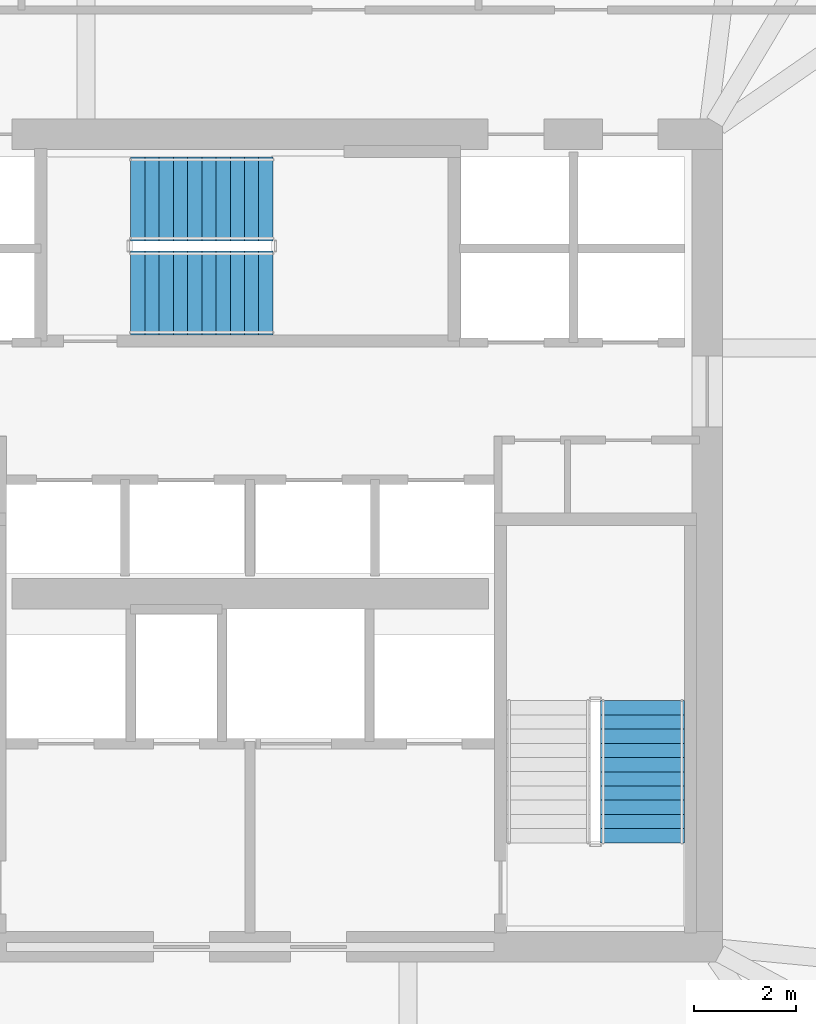
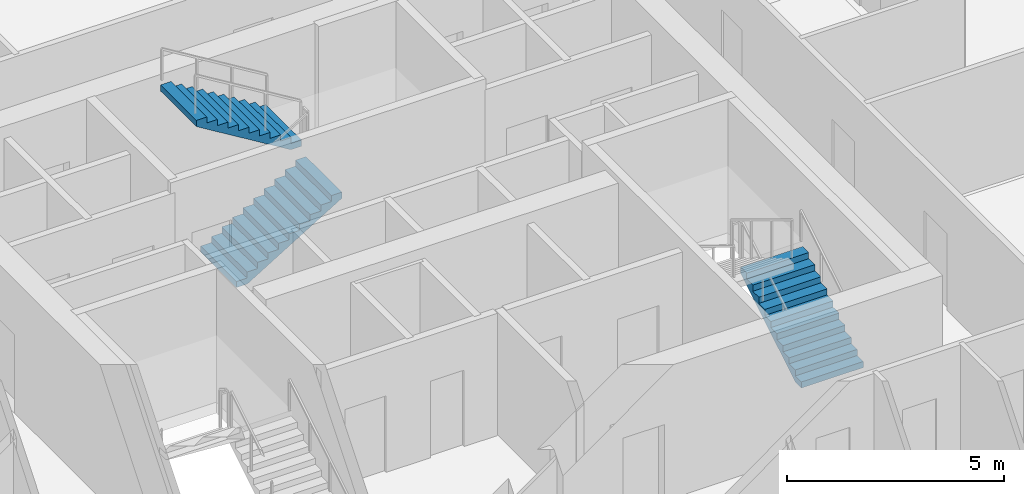
# One storey, part 28 of 33: 3 stair flights, 2 elements without a shape of their own.
"""IFC4 building model written with IfcOpenShell, lengths in metres."""

from ifc_helpers import new_model, si_unit, direction, frame, origin, place, context, subcontext, project, spatial, polyline, outline, extrude, material, type_object, element, aggregate, save


model = new_model("IFC4")

# Units and contexts
model_context = context("Model", 3, precision=1e-05, world=origin(), true_north=direction((0.0, 1.0)))
body_context = subcontext(model_context, "Body", "Model", "MODEL_VIEW")
ifc_project = project(units=[si_unit("LENGTHUNIT", "METRE"), si_unit("AREAUNIT", "SQUARE_METRE"), si_unit("VOLUMEUNIT", "CUBIC_METRE"), si_unit("PLANEANGLEUNIT", "RADIAN"), si_unit("MASSUNIT", "GRAM", prefix="KILO")], contexts=[model_context])

# Site, building, storey
site_placement = place(None, origin())
site = spatial("IfcSite", under=ifc_project, at=site_placement, CompositionType="ELEMENT")
building_placement = place(site_placement, origin())
building = spatial("IfcBuilding", under=site, at=building_placement, Name="Haldenkirk Collegiate Tower", CompositionType="ELEMENT")
storey_placement = place(building_placement, frame((0.0, 0.0, 55.199951171875)))
storey = spatial("IfcBuildingStorey", under=building, at=storey_placement, Name="L12", CompositionType="ELEMENT", Elevation=55.199951171875)

# Stair, stair flight
ifc_material = material(Name="Concrete f'c 40 MPa", Category="concrete")
stair_type = type_object("IfcStairType", Name="STR-DOGLEG-1650", PredefinedType="HALF_TURN_STAIR", material=ifc_material)
stair_1_placement = place(storey_placement, origin())
stair_1 = element("IfcStair", 1, at=stair_1_placement, inside=storey, type_object=stair_type, Name="L12 Core Exit Stair ST-2", PredefinedType="HALF_TURN_STAIR")
stair_flight_type = type_object("IfcStairFlightType", Name="STF-FLIGHT-1650", PredefinedType="STRAIGHT", material=ifc_material)
stair_flight_1_placement = place(storey_placement, frame((43.72509765625, 20.050048828125, 0.0), z_axis=(0.0, 0.0, 1.0), x_axis=(0.0, 1.0, 0.0)))
stair_flight_1 = element("IfcStairFlight", 2, at=stair_flight_1_placement, type_object=stair_flight_type, Name="ST-2 flight 1", NumberOfRisers=11, NumberOfTreads=10, PredefinedType="STRAIGHT", RiserHeight=0.170454545, TreadLength=0.28, context=body_context, shape_type="SweptSolid", body=[
    extrude(outline(polyline([(0.0, 0.0), (0.0, 0.17041015625), (0.280029296875, 0.17041015625), (0.280029296875, 0.3408203125), (0.56005859375, 0.3408203125), (0.56005859375, 0.511474609375), (0.840087890625, 0.511474609375), (0.840087890625, 0.681884765625), (1.1201171875, 0.681884765625), (1.1201171875, 0.852294921875), (1.39990234375, 0.852294921875), (1.39990234375, 1.022705078125), (1.679931640625, 1.022705078125), (1.679931640625, 1.193115234375), (1.9599609375, 1.193115234375), (1.9599609375, 1.363525390625), (2.239990234375, 1.363525390625), (2.239990234375, 1.5341796875), (2.52001953125, 1.5341796875), (2.52001953125, 1.70458984375), (2.800048828125, 1.70458984375), (2.800048828125, 1.875), (2.800048828125, 1.529052734375), (0.288330078125, 0.0), (0.0, 0.0)])), frame((0.0, 0.824951171875, 0.0), z_axis=(0.0, -1.0, 0.0), x_axis=(1.0, 0.0, 0.0)), (0.0, 0.0, 1.0), 1.64990234375),
])
aggregate(stair_1, [stair_flight_1])

# Stair, stair flights
stair_2_placement = place(storey_placement, origin())
stair_2 = element("IfcStair", 3, at=stair_2_placement, inside=storey, type_object=stair_type, Name="L12 Core Exit Stair ST-3", PredefinedType="HALF_TURN_STAIR")
stair_flight_2_placement = place(storey_placement, frame((33.64990234375, 30.875, 0.0), z_axis=(0.0, 0.0, 1.0), x_axis=(1.0, 0.0, 0.0)))
stair_flight_2 = element("IfcStairFlight", 4, at=stair_flight_2_placement, type_object=stair_flight_type, Name="ST-3 flight 1", NumberOfRisers=11, NumberOfTreads=10, PredefinedType="STRAIGHT", RiserHeight=0.170454545, TreadLength=0.28, context=body_context, shape_type="SweptSolid", body=[
    extrude(outline(polyline([(0.0, 0.0), (0.0, 0.17041015625), (0.280029296875, 0.17041015625), (0.280029296875, 0.3408203125), (0.56005859375, 0.3408203125), (0.56005859375, 0.511474609375), (0.840087890625, 0.511474609375), (0.840087890625, 0.681884765625), (1.1201171875, 0.681884765625), (1.1201171875, 0.852294921875), (1.39990234375, 0.852294921875), (1.39990234375, 1.022705078125), (1.679931640625, 1.022705078125), (1.679931640625, 1.193115234375), (1.9599609375, 1.193115234375), (1.9599609375, 1.363525390625), (2.239990234375, 1.363525390625), (2.239990234375, 1.5341796875), (2.52001953125, 1.5341796875), (2.52001953125, 1.70458984375), (2.800048828125, 1.70458984375), (2.800048828125, 1.875), (2.800048828125, 1.529052734375), (0.288330078125, 0.0), (0.0, 0.0)])), frame((0.0, 0.824951171875, 0.0), z_axis=(0.0, -1.0, 0.0), x_axis=(1.0, 0.0, 0.0)), (0.0, 0.0, 1.0), 1.64990234375),
])
stair_flight_3_placement = place(storey_placement, frame((36.449951171875, 32.72509765625, 1.875), z_axis=(0.0, 0.0, 1.0), x_axis=(-1.0, 0.0, 0.0)))
stair_flight_3 = element("IfcStairFlight", 5, at=stair_flight_3_placement, type_object=stair_flight_type, Name="ST-3 flight 2", NumberOfRisers=11, NumberOfTreads=10, PredefinedType="STRAIGHT", RiserHeight=0.170454545, TreadLength=0.28, context=body_context, shape_type="SweptSolid", body=[
    extrude(outline(polyline([(0.0, 0.0), (0.0, 0.17041015625), (0.280029296875, 0.17041015625), (0.280029296875, 0.3408203125), (0.56005859375, 0.3408203125), (0.56005859375, 0.511474609375), (0.840087890625, 0.511474609375), (0.840087890625, 0.681884765625), (1.1201171875, 0.681884765625), (1.1201171875, 0.852294921875), (1.39990234375, 0.852294921875), (1.39990234375, 1.022705078125), (1.679931640625, 1.022705078125), (1.679931640625, 1.193115234375), (1.9599609375, 1.193115234375), (1.9599609375, 1.363525390625), (2.239990234375, 1.363525390625), (2.239990234375, 1.5341796875), (2.52001953125, 1.5341796875), (2.52001953125, 1.70458984375), (2.800048828125, 1.70458984375), (2.800048828125, 1.875), (2.800048828125, 1.529052734375), (0.288330078125, 0.0), (0.0, 0.0)])), frame((0.0, 0.824951171875, 0.0), z_axis=(0.0, -1.0, 0.0), x_axis=(1.0, 0.0, 0.0)), (0.0, 0.0, 1.0), 1.64990234375),
])
aggregate(stair_2, [stair_flight_2, stair_flight_3])

save(model, "model.ifc")
